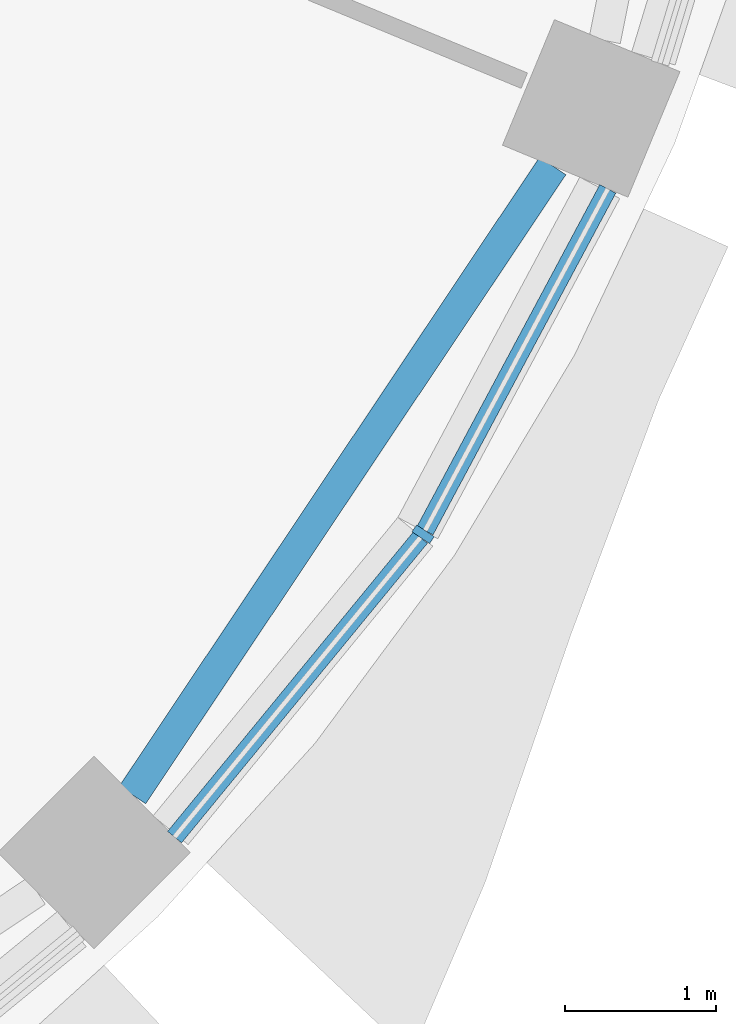
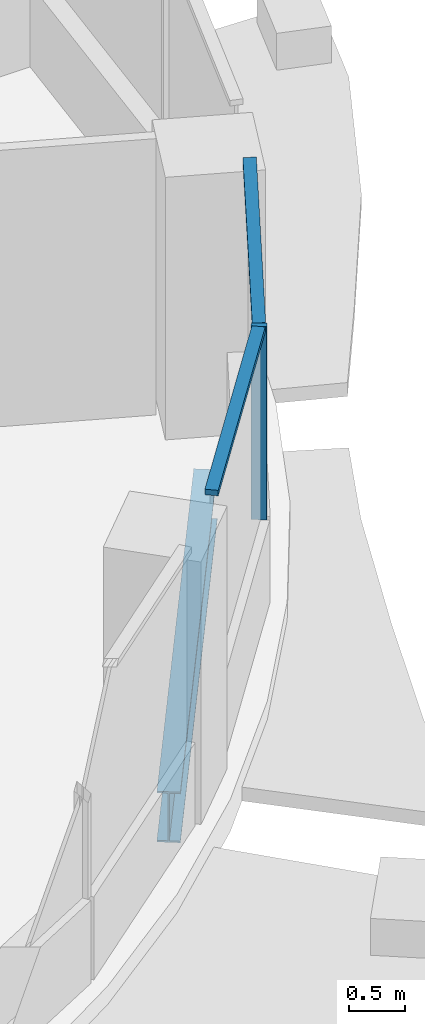
# One storey, part 3 of 14: 3 members, 1 beam, 1 element without a shape of its own.
"""IFC4 building model written with IfcOpenShell, lengths in metres."""

from ifc_helpers import new_model, si_unit, direction, frame, origin, origin_2d, place, context, subcontext, project, spatial, rectangle, i_section, extrude, material, material_profile, profile_set, type_object, element, aggregate, save


model = new_model("IFC4")

# Units and contexts
model_context = context("Model", 3, precision=1e-05, world=origin(), true_north=direction((0.0, 1.0)))
body_context = subcontext(model_context, "Body", "Model", "MODEL_VIEW")
ifc_project = project(units=[si_unit("LENGTHUNIT", "METRE"), si_unit("AREAUNIT", "SQUARE_METRE"), si_unit("VOLUMEUNIT", "CUBIC_METRE"), si_unit("PLANEANGLEUNIT", "RADIAN"), si_unit("MASSUNIT", "GRAM", prefix="KILO")], contexts=[model_context])

# Site, building, storey
site_placement = place(None, origin())
site = spatial("IfcSite", under=ifc_project, at=site_placement, CompositionType="ELEMENT")
building_placement = place(site_placement, origin())
building = spatial("IfcBuilding", under=site, at=building_placement, Name="Polderwave Tower", CompositionType="ELEMENT")
storey_placement = place(building_placement, frame((0.0, 0.0, 221.14990234375)))
storey = spatial("IfcBuildingStorey", under=building, at=storey_placement, Name="L60", CompositionType="ELEMENT", Elevation=221.14990234375)

# Curtain wall, members
ifc_material_1 = material(Name="Aluminium 6063-T6 and glass", Category="aluminium")
curtain_wall_type = type_object("IfcCurtainWallType", Name="Office ribbon glazing wall", PredefinedType="NOTDEFINED", material=ifc_material_1)
curtain_wall_placement = place(storey_placement, origin())
curtain_wall = element("IfcCurtainWall", 1, at=curtain_wall_placement, inside=storey, type_object=curtain_wall_type, Name="CW3 L60 14", PredefinedType="NOTDEFINED")
ifc_material_2 = material(Name="Aluminium 6063-T6", Category="aluminium")
ifc_material_profile_1 = material_profile(ifc_material_2, rectangle(XDim=0.139892578125, YDim=0.054931640625, at=origin_2d()), Name="AL 55x140")
ifc_profile_set_1 = profile_set([ifc_material_profile_1], Name="Aluminium 6063-T6")
member_type_1 = type_object("IfcMemberType", Name="Office ribbon glazing mullion 55x140", PredefinedType="MULLION", material=ifc_profile_set_1)
member_1_placement = place(storey_placement, frame((12.928955078125, -8.638916015625, 0.900146484375), z_axis=(0.0, 0.0, 1.0), x_axis=(-0.831430824157, 0.555628279195, 0.0)))
member_1 = element("IfcMember", 2, at=member_1_placement, type_object=member_type_1, Name="CW3 mullion 1", PredefinedType="MULLION", context=body_context, shape_type="SweptSolid", body=[
    extrude(rectangle(XDim=0.139892578125, YDim=0.054931640625, at=origin_2d()), origin(), (0.0, 0.0, 1.0), 2.099853515625),
])
ifc_material_profile_2 = material_profile(ifc_material_2, rectangle(XDim=0.1201171875, YDim=0.06005859375, at=origin_2d()), Name="AL 60x120")
ifc_profile_set_2 = profile_set([ifc_material_profile_2], Name="Aluminium 6063-T6")
member_type_2 = type_object("IfcMemberType", Name="Office ribbon glazing transom 60x120", PredefinedType="USERDEFINED", material=ifc_profile_set_2)
member_2_placement = place(storey_placement, frame((11.281982421875, -10.64599609375, 2.97021484375), z_axis=(0.634417102491, 0.772990905552, 0.0), x_axis=(-0.772990905552, 0.634417102491, 0.0)))
member_2 = element("IfcMember", 3, at=member_2_placement, type_object=member_type_2, Name="CW3 transom 1", ObjectType="TRANSOM", PredefinedType="USERDEFINED", context=body_context, shape_type="SweptSolid", body=[
    extrude(rectangle(XDim=0.1201171875, YDim=0.06005859375, at=origin_2d()), origin(), (0.0, 0.0, 1.0), 2.568603515625),
])
member_3_placement = place(storey_placement, frame((12.94189453125, -8.61474609375, 2.97021484375), z_axis=(0.471609275387, 0.881807627189, 0.0), x_axis=(-0.881807627189, 0.471609275387, 0.0)))
member_3 = element("IfcMember", 4, at=member_3_placement, type_object=member_type_2, Name="CW3 transom 2", ObjectType="TRANSOM", PredefinedType="USERDEFINED", context=body_context, shape_type="SweptSolid", body=[
    extrude(rectangle(XDim=0.1201171875, YDim=0.06005859375, at=origin_2d()), origin(), (0.0, 0.0, 1.0), 2.568115234375),
])
aggregate(curtain_wall, [member_1, member_2, member_3])

# Beam
ifc_material_3 = material(Name="Steel S355", Category="steel")
ifc_material_profile_3 = material_profile(ifc_material_3, i_section(OverallWidth=0.2099609375, OverallDepth=0.550048828125, WebThickness=0.010986328125, FlangeThickness=0.01708984375, at=origin_2d()), Name="IPE 550")
ifc_profile_set_3 = profile_set([ifc_material_profile_3], Name="Steel S355")
beam_type = type_object("IfcBeamType", Name="RING BEAM IPE 550", PredefinedType="BEAM", material=ifc_profile_set_3)
beam_placement = place(storey_placement, frame((11.0029296875, -10.366455078125, -0.625), z_axis=(0.555576499258, 0.831465425301, 0.0), x_axis=(-0.831465425301, 0.555576499258, 0.0)))
element("IfcBeam", 5, at=beam_placement, inside=storey, type_object=beam_type, Name="ST-RB-L60-14", PredefinedType="BEAM", context=body_context, shape_type="SweptSolid", body=[
    extrude(i_section(OverallWidth=0.2099609375, OverallDepth=0.550048828125, WebThickness=0.010986328125, FlangeThickness=0.01708984375, at=origin_2d()), origin(), (0.0, 0.0, 1.0), 5.01318359375),
])

save(model, "model.ifc")
